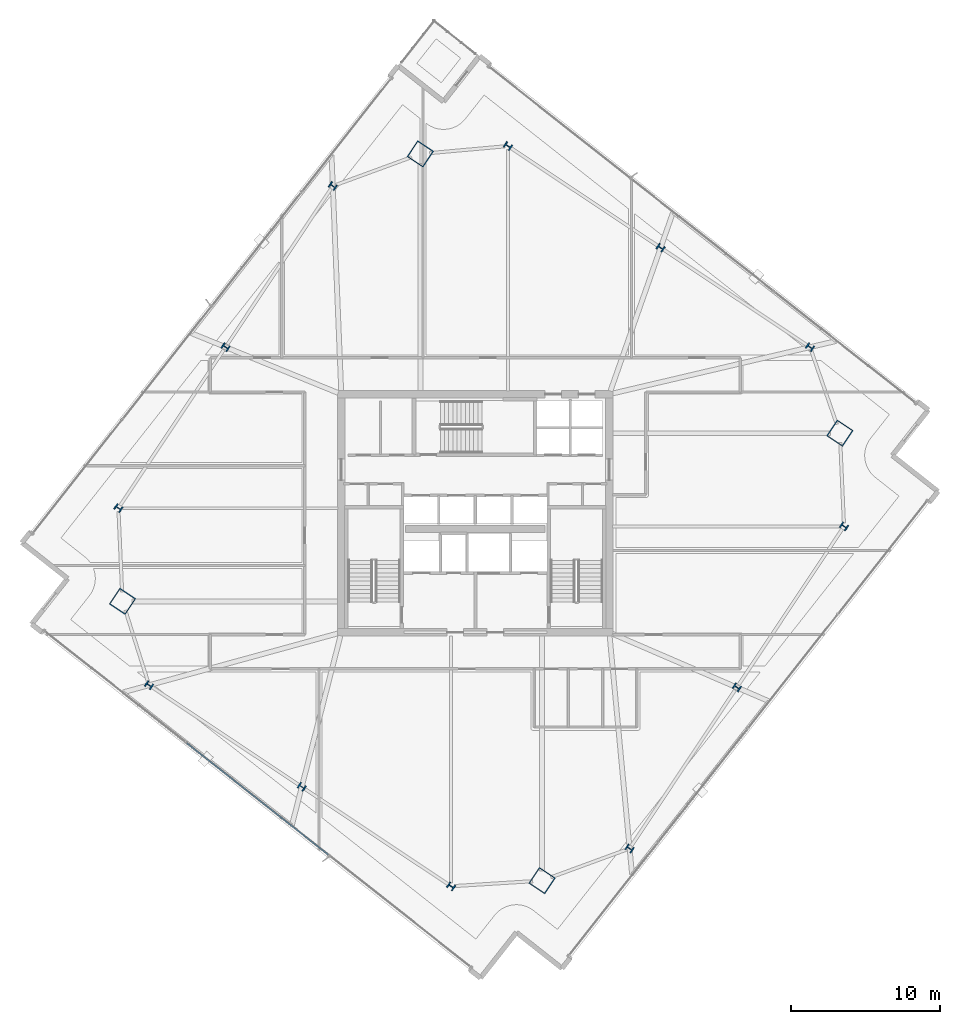
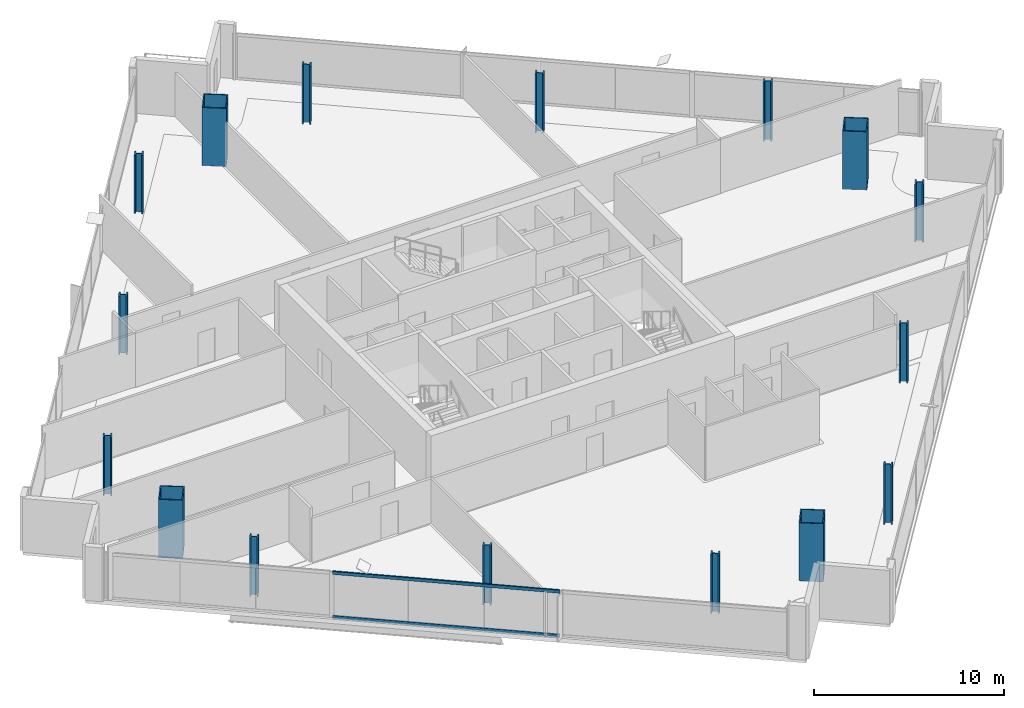
# One storey, part 1 of 28: 16 columns, 2 members, 1 element without a shape of its own.
"""IFC4 building model written with IfcOpenShell, lengths in metres."""

from ifc_helpers import new_model, si_unit, direction, frame, origin, origin_2d, place, context, subcontext, project, spatial, hollow_rectangle, i_section, extrude, material, material_profile, profile_set, type_object, element, aggregate, save


model = new_model("IFC4")

# Units and contexts
model_context = context("Model", 3, precision=1e-05, world=origin(), true_north=direction((0.0, 1.0)))
body_context = subcontext(model_context, "Body", "Model", "MODEL_VIEW")
ifc_project = project(units=[si_unit("LENGTHUNIT", "METRE"), si_unit("AREAUNIT", "SQUARE_METRE"), si_unit("VOLUMEUNIT", "CUBIC_METRE"), si_unit("PLANEANGLEUNIT", "RADIAN"), si_unit("MASSUNIT", "GRAM", prefix="KILO")], contexts=[model_context])

# Site, building, storey
site_placement = place(None, origin())
site = spatial("IfcSite", under=ifc_project, at=site_placement, CompositionType="ELEMENT")
building_placement = place(site_placement, origin())
building = spatial("IfcBuilding", under=site, at=building_placement, Name="Haldenkirk Collegiate Tower", CompositionType="ELEMENT")
storey_placement = place(building_placement, frame((0.0, 0.0, 202.199951171875)))
storey = spatial("IfcBuildingStorey", under=building, at=storey_placement, Name="L50", CompositionType="ELEMENT", Elevation=202.199951171875)

# Columns
ifc_material_1 = material(Name="Steel ASTM A913 Grade 65", Category="steel")
ifc_material_profile_1 = material_profile(ifc_material_1, i_section(OverallWidth=0.424072265625, OverallDepth=0.47412109375, WebThickness=0.047607421875, FlangeThickness=0.0771484375, at=origin_2d()), Name="W14X426")
ifc_profile_set_1 = profile_set([ifc_material_profile_1], Name="Steel ASTM A913 Grade 65")
column_type_1 = type_object("IfcColumnType", Name="COL-INT-W14X426", PredefinedType="COLUMN", material=ifc_profile_set_1)
for number, where, z_axis, x_axis, name in (
    (1, (46.363037109375, 3.48974609375, 0.0), (0.0, 0.0, 1.0), (0.554118199338, 0.832437998389, 0.0), "L50 perimeter gravity column PC-S1"),
    (2, (53.564453125, 14.30810546875, 0.0), (0.0, 0.0, 1.0), (0.554118199338, 0.832437998389, 0.0), "L50 perimeter gravity column PC-S2"),
    (3, (60.765869140625, 25.12646484375, 0.0), (0.0, 0.0, 1.0), (0.554118199338, 0.832437998389, 0.0), "L50 perimeter gravity column PC-S3"),
    (4, (58.48095703125, 37.16357421875, 0.0), (0.0, 0.0, 1.0), (0.554118199338, 0.832437998389, 0.0), "L50 perimeter gravity column PC-E1"),
    (5, (48.447509765625, 43.84228515625, 0.0), (0.0, 0.0, 1.0), (0.554118199338, 0.832437998389, 0.0), "L50 perimeter gravity column PC-E2"),
    (6, (38.192626953125, 50.66845703125, 0.0), (0.0, 0.0, 1.0), (0.554118199338, 0.832437998389, 0.0), "L50 perimeter gravity column PC-E3"),
    (7, (26.427734375, 47.98388671875, 0.0), (0.0, 0.0, 1.0), (0.554118199338, 0.832437998389, 0.0), "L50 perimeter gravity column PC-N1"),
    (8, (19.226318359375, 37.16552734375, 0.0), (0.0, 0.0, 1.0), (0.554118199338, 0.832437998389, 0.0), "L50 perimeter gravity column PC-N2"),
    (9, (12.025146484375, 26.34716796875, 0.0), (0.0, 0.0, 1.0), (0.554118199338, 0.832437998389, 0.0), "L50 perimeter gravity column PC-N3"),
    (10, (14.08837890625, 14.45751953125, 0.0), (0.0, 0.0, 1.0), (0.554118199338, 0.832437998389, 0.0), "L50 perimeter gravity column PC-W1"),
    (11, (24.34326171875, 7.63134765625, 0.0), (0.0, 0.0, 1.0), (0.554118199338, 0.832437998389, 0.0), "L50 perimeter gravity column PC-W2"),
    (12, (34.376708984375, 0.952392578125, 0.0), (0.0, 0.0, 1.0), (0.554118199338, 0.832437998389, 0.0), "L50 perimeter gravity column PC-W3"),
):
    element("IfcColumn", number, at=place(storey_placement, frame(where, z_axis=z_axis, x_axis=x_axis)), inside=storey, type_object=column_type_1, Name=name, PredefinedType="COLUMN", context=body_context, shape_type="SweptSolid", body=[
        extrude(i_section(OverallWidth=0.424072265625, OverallDepth=0.47412109375, WebThickness=0.047607421875, FlangeThickness=0.0771484375, at=origin_2d()), origin(), (0.0, 0.0, 1.0), 3.75),
    ])
ifc_material_2 = material(Name="Steel ASTM A572 Grade 50", Category="steel")
ifc_material_profile_2 = material_profile(ifc_material_2, hollow_rectangle(XDim=1.300048828125, YDim=1.300048828125, WallThickness=0.06005859375, at=origin_2d()), Name="BOX1300X1300X60")
ifc_profile_set_2 = profile_set([ifc_material_profile_2], Name="Steel ASTM A572 Grade 50")
column_type_2 = type_object("IfcColumnType", Name="COL-MEGA-BOX1300X1300X60", PredefinedType="COLUMN", material=ifc_profile_set_2)
for number, where, z_axis, x_axis, name in (
    (13, (40.482666015625, 1.332763671875, 0.0), (0.0, 0.0, 1.0), (0.554118199338, 0.832437998389, 0.0), "L50 corner mega-column MC1"),
    (14, (60.486328125, 31.3837890625, 0.0), (0.0, 0.0, 1.0), (0.554118199338, 0.832437998389, 0.0), "L50 corner mega-column MC2"),
    (15, (32.30810546875, 50.140869140625, 0.0), (0.0, 0.0, 1.0), (0.554118199338, 0.832437998389, 0.0), "L50 corner mega-column MC3"),
    (16, (12.3046875, 20.089599609375, 0.0), (0.0, 0.0, 1.0), (0.554118199338, 0.832437998389, 0.0), "L50 corner mega-column MC4"),
):
    element("IfcColumn", number, at=place(storey_placement, frame(where, z_axis=z_axis, x_axis=x_axis)), inside=storey, type_object=column_type_2, Name=name, PredefinedType="COLUMN", context=body_context, shape_type="SweptSolid", body=[
        extrude(hollow_rectangle(XDim=1.300048828125, YDim=1.300048828125, WallThickness=0.06005859375, at=origin_2d()), origin(), (0.0, 0.0, 1.0), 3.75),
    ])

# Curtain wall, members
ifc_material_3 = material(Name="Anodised architectural bronze aluminium", Category="aluminium")
curtain_wall_type = type_object("IfcCurtainWallType", Name="CW-SYS1B-CONVEX-HI", PredefinedType="USERDEFINED", material=ifc_material_3)
curtain_wall_placement = place(storey_placement, origin())
curtain_wall = element("IfcCurtainWall", 17, at=curtain_wall_placement, inside=storey, type_object=curtain_wall_type, Name="L50 Upper tower high-wind convex bronze unitised curtain wall", ObjectType="UNITISED CURTAIN WALL", PredefinedType="USERDEFINED")
ifc_material_profile_3 = material_profile(ifc_material_3, hollow_rectangle(XDim=0.0849609375, YDim=0.199951171875, WallThickness=0.0048828125, at=origin_2d()), Name="CW-TRN-1B")
ifc_profile_set_3 = profile_set([ifc_material_profile_3], Name="Anodised architectural bronze aluminium")
member_type = type_object("IfcMemberType", Name="CW-TRN-1B", PredefinedType="USERDEFINED", material=ifc_profile_set_3)
member_1_placement = place(storey_placement, frame((26.138671875, 3.060546875, 0.04248046875), z_axis=(-0.785321544104, 0.619088097419, 0.0), x_axis=(-0.619088097419, -0.785321544104, 0.0)))
member_1 = element("IfcMember", 18, at=member_1_placement, type_object=member_type, Name="CW-1B transom 2.1", ObjectType="TRANSOM", PredefinedType="USERDEFINED", context=body_context, shape_type="SweptSolid", body=[
    extrude(hollow_rectangle(XDim=0.0849609375, YDim=0.199951171875, WallThickness=0.0048828125, at=origin_2d()), origin(), (0.0, 0.0, 1.0), 12.114990234375),
])
member_2_placement = place(storey_placement, frame((26.138671875, 3.060546875, 2.885498046875), z_axis=(-0.785321544104, 0.619088097419, 0.0), x_axis=(-0.619088097419, -0.785321544104, 0.0)))
member_2 = element("IfcMember", 19, at=member_2_placement, type_object=member_type, Name="CW-1B transom 2.2", ObjectType="TRANSOM", PredefinedType="USERDEFINED", context=body_context, shape_type="SweptSolid", body=[
    extrude(hollow_rectangle(XDim=0.0849609375, YDim=0.199951171875, WallThickness=0.0048828125, at=origin_2d()), origin(), (0.0, 0.0, 1.0), 12.114990234375),
])
aggregate(curtain_wall, [member_1, member_2])

save(model, "model.ifc")
